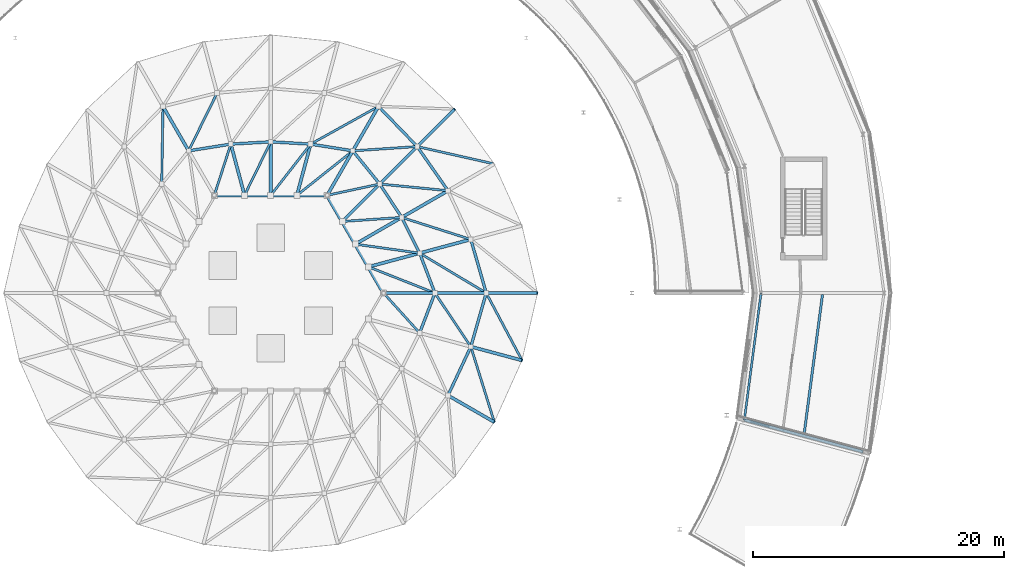
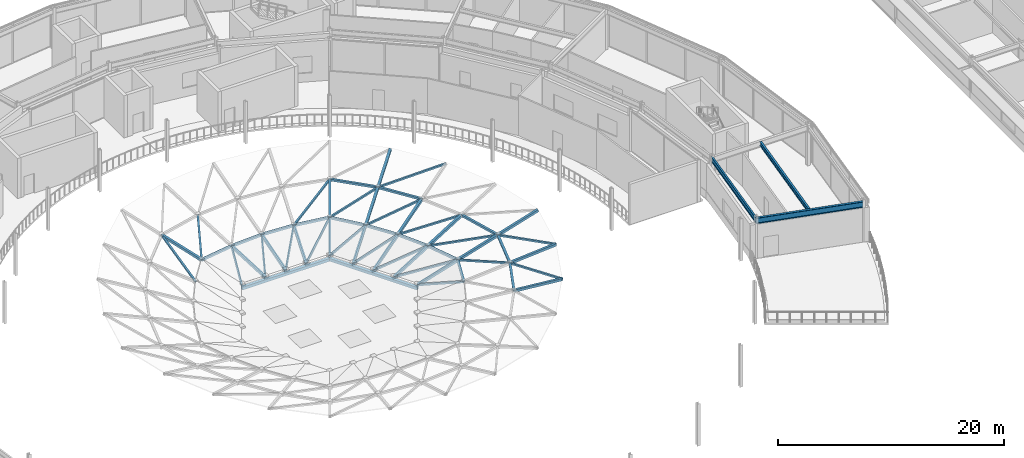
# One storey, part 24 of 116: 52 members, 5 beams.
"""IFC4 building model written with IfcOpenShell, lengths in metres."""

from ifc_helpers import new_model, si_unit, direction, frame, origin, origin_2d, place, context, subcontext, project, spatial, hollow_rectangle, i_section, extrude, material, material_profile, profile_set, type_object, element, save


model = new_model("IFC4")

# Units and contexts
model_context = context("Model", 3, precision=1e-05, world=origin(), true_north=direction((0.0, 1.0)))
body_context = subcontext(model_context, "Body", "Model", "MODEL_VIEW")
ifc_project = project(units=[si_unit("LENGTHUNIT", "METRE"), si_unit("AREAUNIT", "SQUARE_METRE"), si_unit("VOLUMEUNIT", "CUBIC_METRE"), si_unit("PLANEANGLEUNIT", "RADIAN"), si_unit("MASSUNIT", "GRAM", prefix="KILO")], contexts=[model_context])

# Site, building, storey
site_placement = place(None, origin())
site = spatial("IfcSite", under=ifc_project, at=site_placement, CompositionType="ELEMENT")
building_placement = place(site_placement, origin())
building = spatial("IfcBuilding", under=site, at=building_placement, Name="Almandine Court Research Institute", CompositionType="ELEMENT")
storey_placement = place(building_placement, frame((0.0, 0.0, 14.35009765625)))
storey = spatial("IfcBuildingStorey", under=building, at=storey_placement, Name="L03", CompositionType="ELEMENT", Elevation=14.35009765625)

# Beams
ifc_material_1 = material(Name="Steel ASTM A992 Grade 50", Category="steel")
ifc_material_profile_1 = material_profile(ifc_material_1, i_section(OverallWidth=0.18994140625, OverallDepth=0.45703125, WebThickness=0.009033203125, FlangeThickness=0.014892578125, at=origin_2d()), Name="W460x74")
ifc_profile_set_1 = profile_set([ifc_material_profile_1], Name="Steel ASTM A992 Grade 50")
beam_type_1 = type_object("IfcBeamType", Name="Beam-B-01", PredefinedType="BEAM", material=ifc_profile_set_1)
beam_1_placement = place(storey_placement, frame((129.531982421875, 44.72802734375, 4.094970703125), z_axis=(0.130512904889, 0.991446610594, 0.0), x_axis=(-0.991446610594, 0.130512904889, 0.0)))
element("IfcBeam", 1, at=beam_1_placement, inside=storey, type_object=beam_type_1, Name="L03 Drum MID Ring Beam 23", PredefinedType="BEAM", context=body_context, shape_type="SweptSolid", body=[
    extrude(i_section(OverallWidth=0.18994140625, OverallDepth=0.45703125, WebThickness=0.009033203125, FlangeThickness=0.014892578125, at=origin_2d()), origin(), (0.0, 0.0, 1.0), 11.248046875),
])
ifc_material_profile_2 = material_profile(ifc_material_1, i_section(OverallWidth=0.22998046875, OverallDepth=0.616943359375, WebThickness=0.012939453125, FlangeThickness=0.02197265625, at=origin_2d()), Name="W610x140")
ifc_profile_set_2 = profile_set([ifc_material_profile_2], Name="Steel ASTM A992 Grade 50")
beam_type_2 = type_object("IfcBeamType", Name="Beam-G-02", PredefinedType="BEAM", material=ifc_profile_set_2)
beam_2_placement = place(storey_placement, frame((124.76806640625, 45.8798828125, 4.014892578125), z_axis=(0.965937821551, -0.258774274024, 0.0), x_axis=(0.258774274024, 0.965937821551, 0.0)))
element("IfcBeam", 2, at=beam_2_placement, inside=storey, type_object=beam_type_2, Name="L03 Drum Radial Girder 23", PredefinedType="BEAM", context=body_context, shape_type="SweptSolid", body=[
    extrude(i_section(OverallWidth=0.22998046875, OverallDepth=0.616943359375, WebThickness=0.012939453125, FlangeThickness=0.02197265625, at=origin_2d()), origin(), (0.0, 0.0, 1.0), 9.799560546875),
])
ifc_material_profile_3 = material_profile(ifc_material_1, i_section(OverallWidth=0.166015625, OverallDepth=0.534912109375, WebThickness=0.010009765625, FlangeThickness=0.01708984375, at=origin_2d()), Name="W530x85")
ifc_profile_set_3 = profile_set([ifc_material_profile_3], Name="Steel ASTM A992 Grade 50")
beam_type_3 = type_object("IfcBeamType", Name="Beam-G-05-E", PredefinedType="SPANDREL", material=ifc_profile_set_3)
beam_3_placement = place(storey_placement, frame((124.76806640625, 45.8798828125, 4.055908203125), z_axis=(0.130496584681, 0.991448758831, 0.0), x_axis=(-0.991448758831, 0.130496584681, 0.0)))
element("IfcBeam", 3, at=beam_3_placement, inside=storey, type_object=beam_type_3, Name="L03 Drum IN Ring Beam 23", PredefinedType="SPANDREL", context=body_context, shape_type="SweptSolid", body=[
    extrude(i_section(OverallWidth=0.166015625, OverallDepth=0.534912109375, WebThickness=0.010009765625, FlangeThickness=0.01708984375, at=origin_2d()), origin(), (0.0, 0.0, 1.0), 10.20751953125),
])
ifc_material_2 = material(Name="Steel ASTM A500 Grade C", Category="steel")
ifc_material_profile_4 = material_profile(ifc_material_2, hollow_rectangle(XDim=0.300048828125, YDim=0.300048828125, WallThickness=0.011962890625, at=origin_2d()), Name="HSS 300x300x12")
ifc_profile_set_4 = profile_set([ifc_material_profile_4], Name="Steel ASTM A500 Grade C")
beam_type_4 = type_object("IfcBeamType", Name="Beam-RB-01-E", PredefinedType="BEAM", material=ifc_profile_set_4)
beam_4_placement = place(storey_placement, frame((96.0, 56.0, 0.64990234375), z_axis=(-0.500013631625, 0.866017533419, 0.0), x_axis=(-0.866017533419, -0.500013631625, 0.0)))
element("IfcBeam", 4, at=beam_4_placement, inside=storey, type_object=beam_type_4, Name="Gridshell Inner Oculus Ring Beam IRB-1", PredefinedType="BEAM", context=body_context, shape_type="SweptSolid", body=[
    extrude(hollow_rectangle(XDim=0.300048828125, YDim=0.300048828125, WallThickness=0.011962890625, at=origin_2d()), origin(), (0.0, 0.0, 1.0), 8.999755859375),
])
beam_5_placement = place(storey_placement, frame((91.5, 63.7939453125, 0.64990234375), z_axis=(-1.0, 0.0, 0.0), x_axis=(0.0, -1.0, 0.0)))
element("IfcBeam", 5, at=beam_5_placement, inside=storey, type_object=beam_type_4, Name="Gridshell Inner Oculus Ring Beam IRB-2", PredefinedType="BEAM", context=body_context, shape_type="SweptSolid", body=[
    extrude(hollow_rectangle(XDim=0.300048828125, YDim=0.300048828125, WallThickness=0.011962890625, at=origin_2d()), origin(), (0.0, 0.0, 1.0), 9.0),
])

# Members
ifc_material_profile_5 = material_profile(ifc_material_2, hollow_rectangle(XDim=0.25, YDim=0.25, WallThickness=0.010009765625, at=origin_2d()), Name="HSS 250x250x10")
ifc_profile_set_5 = profile_set([ifc_material_profile_5], Name="Steel ASTM A500 Grade C")
member_type_1 = type_object("IfcMemberType", Name="Mem-GS-AR1", PredefinedType="RAFTER", material=ifc_profile_set_5)
member_1_placement = place(storey_placement, frame((108.279052734375, 56.0, 4.77099609375), z_axis=(-0.955930522489, 0.0, -0.293592977053), x_axis=(0.0, -1.0, 0.0)))
element("IfcMember", 6, at=member_1_placement, inside=storey, type_object=member_type_1, Name="Atrium Conical Gridshell Radial Rib R4-S00", PredefinedType="RAFTER", context=body_context, shape_type="SweptSolid", body=[
    extrude(hollow_rectangle(XDim=0.25, YDim=0.25, WallThickness=0.010009765625, at=origin_2d()), origin(), (0.0, 0.0, 1.0), 4.28173828125),
])
member_2_placement = place(storey_placement, frame((101.669921875, 70.669921875, 4.77099609375), z_axis=(-0.677753192831, -0.677753192831, -0.285133686566), x_axis=(0.707106781187, -0.707106781187, 0.0)))
element("IfcMember", 7, at=member_2_placement, inside=storey, type_object=member_type_1, Name="Atrium Conical Gridshell Radial Rib R4-S03", PredefinedType="RAFTER", context=body_context, shape_type="SweptSolid", body=[
    extrude(hollow_rectangle(XDim=0.25, YDim=0.25, WallThickness=0.010009765625, at=origin_2d()), origin(), (0.0, 0.0, 1.0), 4.40869140625),
])
member_3_placement = place(storey_placement, frame((104.8310546875, 45.705078125, 4.77099609375), z_axis=(-0.830700468478, 0.479611347077, -0.282683015808), x_axis=(-0.500004853958, -0.866022601332, 0.0)))
element("IfcMember", 8, at=member_3_placement, inside=storey, type_object=member_type_1, Name="Atrium Conical Gridshell Radial Rib R4-S22", PredefinedType="RAFTER", context=body_context, shape_type="SweptSolid", body=[
    extrude(hollow_rectangle(XDim=0.25, YDim=0.25, WallThickness=0.010009765625, at=origin_2d()), origin(), (0.0, 0.0, 1.0), 4.447021484375),
])
member_4_placement = place(storey_placement, frame((107.0400390625, 50.6298828125, 4.77099609375), z_axis=(-0.925809514267, 0.248174536061, -0.285107248144), x_axis=(-0.25892088645, -0.965898532228, 0.0)))
element("IfcMember", 9, at=member_4_placement, inside=storey, type_object=member_type_1, Name="Atrium Conical Gridshell Radial Rib R4-S23", PredefinedType="RAFTER", context=body_context, shape_type="SweptSolid", body=[
    extrude(hollow_rectangle(XDim=0.25, YDim=0.25, WallThickness=0.010009765625, at=origin_2d()), origin(), (0.0, 0.0, 1.0), 4.4091796875),
])
member_5_placement = place(storey_placement, frame((104.18603515625, 56.0, 3.513916015625), z_axis=(-0.955930522489, 0.0, -0.293592977053), x_axis=(0.0, -1.0, 0.0)))
element("IfcMember", 10, at=member_5_placement, inside=storey, type_object=member_type_1, Name="Atrium Conical Gridshell Radial Rib R5-S00", PredefinedType="RAFTER", context=body_context, shape_type="SweptSolid", body=[
    extrude(hollow_rectangle(XDim=0.25, YDim=0.25, WallThickness=0.010009765625, at=origin_2d()), origin(), (0.0, 0.0, 1.0), 4.28173828125),
])
member_6_placement = place(storey_placement, frame((102.9580078125, 60.27587890625, 3.513916015625), z_axis=(-0.925822235368, -0.248122573964, -0.285111165665), x_axis=(0.258866989029, -0.965912978478, 0.0)))
element("IfcMember", 11, at=member_6_placement, inside=storey, type_object=member_type_1, Name="Atrium Conical Gridshell Radial Rib R5-S01", PredefinedType="RAFTER", context=body_context, shape_type="SweptSolid", body=[
    extrude(hollow_rectangle(XDim=0.25, YDim=0.25, WallThickness=0.010009765625, at=origin_2d()), origin(), (0.0, 0.0, 1.0), 4.4091796875),
])
member_7_placement = place(storey_placement, frame((101.136962890625, 64.162109375, 3.513916015625), z_axis=(-0.830680999936, -0.479593889491, -0.282769831328), x_axis=(0.499999992624, -0.866025408043, 0.0)))
element("IfcMember", 12, at=member_7_placement, inside=storey, type_object=member_type_1, Name="Atrium Conical Gridshell Radial Rib R5-S02", PredefinedType="RAFTER", context=body_context, shape_type="SweptSolid", body=[
    extrude(hollow_rectangle(XDim=0.25, YDim=0.25, WallThickness=0.010009765625, at=origin_2d()), origin(), (0.0, 0.0, 1.0), 4.445556640625),
])
member_8_placement = place(storey_placement, frame((98.681884765625, 67.681884765625, 3.513916015625), z_axis=(-0.677748690146, -0.677748690146, -0.285155091155), x_axis=(0.707106781187, -0.707106781187, 0.0)))
element("IfcMember", 13, at=member_8_placement, inside=storey, type_object=member_type_1, Name="Atrium Conical Gridshell Radial Rib R5-S03", PredefinedType="RAFTER", context=body_context, shape_type="SweptSolid", body=[
    extrude(hollow_rectangle(XDim=0.25, YDim=0.25, WallThickness=0.010009765625, at=origin_2d()), origin(), (0.0, 0.0, 1.0), 4.408447265625),
])
for number, where, z_axis, x_axis, name in (
    (14, (95.593017578125, 70.883056640625, 3.513916015625), (-0.478141034543, -0.827751372383, -0.293613379471), (0.865917322531, -0.500187155513, 0.0), "Atrium Conical Gridshell Radial Rib R5-S04"),
    (15, (78.406982421875, 70.883056640625, 3.513916015625), (0.478141034543, -0.827751372383, -0.293613379471), (0.865917322531, 0.500187155513, 0.0), "Atrium Conical Gridshell Radial Rib R5-S08"),
):
    element("IfcMember", number, at=place(storey_placement, frame(where, z_axis=z_axis, x_axis=x_axis)), inside=storey, type_object=member_type_1, Name=name, PredefinedType="RAFTER", context=body_context, shape_type="SweptSolid", body=[
        extrude(hollow_rectangle(XDim=0.25, YDim=0.25, WallThickness=0.010009765625, at=origin_2d()), origin(), (0.0, 0.0, 1.0), 4.281494140625),
    ])
member_9_placement = place(storey_placement, frame((100.093017578125, 56.0, 2.2568359375), z_axis=(-0.955946524092, 0.0, -0.293540871221), x_axis=(0.0, -1.0, 0.0)))
element("IfcMember", 16, at=member_9_placement, inside=storey, type_object=member_type_1, Name="Atrium Conical Gridshell Radial Rib R6-S00", PredefinedType="RAFTER", context=body_context, shape_type="SweptSolid", body=[
    extrude(hollow_rectangle(XDim=0.25, YDim=0.25, WallThickness=0.010009765625, at=origin_2d()), origin(), (0.0, 0.0, 1.0), 4.28173828125),
])
member_10_placement = place(storey_placement, frame((98.8759765625, 59.181884765625, 2.2568359375), z_axis=(-0.925836850451, -0.248126490842, -0.285060293428), x_axis=(0.258866989029, -0.965912978478, 0.0)))
element("IfcMember", 17, at=member_10_placement, inside=storey, type_object=member_type_1, Name="Atrium Conical Gridshell Radial Rib R6-S01", PredefinedType="RAFTER", context=body_context, shape_type="SweptSolid", body=[
    extrude(hollow_rectangle(XDim=0.25, YDim=0.25, WallThickness=0.010009765625, at=origin_2d()), origin(), (0.0, 0.0, 1.0), 4.408935546875),
])
member_11_placement = place(storey_placement, frame((97.444091796875, 62.030029296875, 2.2568359375), z_axis=(-0.830691485021, -0.479661060381, -0.282625058812), x_axis=(0.500047778078, -0.865997817341, 0.0)))
element("IfcMember", 18, at=member_11_placement, inside=storey, type_object=member_type_1, Name="Atrium Conical Gridshell Radial Rib R6-S02", PredefinedType="RAFTER", context=body_context, shape_type="SweptSolid", body=[
    extrude(hollow_rectangle(XDim=0.25, YDim=0.25, WallThickness=0.010009765625, at=origin_2d()), origin(), (0.0, 0.0, 1.0), 4.447021484375),
])
member_12_placement = place(storey_placement, frame((95.694091796875, 64.694091796875, 2.2568359375), z_axis=(-0.677763893572, -0.677763893572, -0.285082811023), x_axis=(0.707106781187, -0.707106781187, 0.0)))
element("IfcMember", 19, at=member_12_placement, inside=storey, type_object=member_type_1, Name="Atrium Conical Gridshell Radial Rib R6-S03", PredefinedType="RAFTER", context=body_context, shape_type="SweptSolid", body=[
    extrude(hollow_rectangle(XDim=0.25, YDim=0.25, WallThickness=0.010009765625, at=origin_2d()), origin(), (0.0, 0.0, 1.0), 4.40869140625),
])
member_13_placement = place(storey_placement, frame((93.5458984375, 67.339111328125, 2.2568359375), z_axis=(-0.477816251034, -0.827967754328, -0.293531988105), x_axis=(0.86612103393, -0.499834327136, 0.0)))
element("IfcMember", 20, at=member_13_placement, inside=storey, type_object=member_type_1, Name="Atrium Conical Gridshell Radial Rib R6-S04", PredefinedType="RAFTER", context=body_context, shape_type="SweptSolid", body=[
    extrude(hollow_rectangle(XDim=0.25, YDim=0.25, WallThickness=0.010009765625, at=origin_2d()), origin(), (0.0, 0.0, 1.0), 4.28173828125),
])
member_14_placement = place(storey_placement, frame((90.181884765625, 67.8759765625, 2.2568359375), z_axis=(-0.248126490842, -0.925836850451, -0.285060293428), x_axis=(0.965912978478, -0.258866989029, 0.0)))
element("IfcMember", 21, at=member_14_placement, inside=storey, type_object=member_type_1, Name="Atrium Conical Gridshell Radial Rib R6-S05", PredefinedType="RAFTER", context=body_context, shape_type="SweptSolid", body=[
    extrude(hollow_rectangle(XDim=0.25, YDim=0.25, WallThickness=0.010009765625, at=origin_2d()), origin(), (0.0, 0.0, 1.0), 4.408935546875),
])
member_15_placement = place(storey_placement, frame((87.0, 68.05908203125, 2.2568359375), z_axis=(0.0, -0.959220239089, -0.282659747615), x_axis=(1.0, 0.0, 0.0)))
element("IfcMember", 22, at=member_15_placement, inside=storey, type_object=member_type_1, Name="Atrium Conical Gridshell Radial Rib R6-S06", PredefinedType="RAFTER", context=body_context, shape_type="SweptSolid", body=[
    extrude(hollow_rectangle(XDim=0.25, YDim=0.25, WallThickness=0.010009765625, at=origin_2d()), origin(), (0.0, 0.0, 1.0), 4.446533203125),
])
member_16_placement = place(storey_placement, frame((83.818115234375, 67.8759765625, 2.2568359375), z_axis=(0.248126490842, -0.925836850451, -0.285060293428), x_axis=(0.965912978478, 0.258866989029, 0.0)))
element("IfcMember", 23, at=member_16_placement, inside=storey, type_object=member_type_1, Name="Atrium Conical Gridshell Radial Rib R6-S07", PredefinedType="RAFTER", context=body_context, shape_type="SweptSolid", body=[
    extrude(hollow_rectangle(XDim=0.25, YDim=0.25, WallThickness=0.010009765625, at=origin_2d()), origin(), (0.0, 0.0, 1.0), 4.408935546875),
])
ifc_material_profile_6 = material_profile(ifc_material_2, hollow_rectangle(XDim=0.179931640625, YDim=0.179931640625, WallThickness=0.008056640625, at=origin_2d()), Name="HSS 180x180x8")
ifc_profile_set_6 = profile_set([ifc_material_profile_6], Name="Steel ASTM A500 Grade C")
member_type_2 = type_object("IfcMemberType", Name="Mem-GS-BR1", PredefinedType="BRACE", material=ifc_profile_set_6)
member_17_placement = place(storey_placement, frame((104.8310546875, 66.294921875, 4.77099609375), z_axis=(-0.956657038881, 0.215776735534, -0.195570218494), x_axis=(-0.220025493604, -0.975494122055, 0.0)))
element("IfcMember", 24, at=member_17_placement, inside=storey, type_object=member_type_2, Name="Atrium Conical Gridshell Diagonal Brace R4-S02", PredefinedType="BRACE", context=body_context, shape_type="SweptSolid", body=[
    extrude(hollow_rectangle(XDim=0.179931640625, YDim=0.179931640625, WallThickness=0.008056640625, at=origin_2d()), origin(), (0.0, 0.0, 1.0), 6.427734375),
])
member_18_placement = place(storey_placement, frame((104.8310546875, 45.705078125, 4.77099609375), z_axis=(-0.291394922162, 0.936398645851, -0.195567316764), x_axis=(-0.954836267143, -0.297132467004, 0.0)))
element("IfcMember", 25, at=member_18_placement, inside=storey, type_object=member_type_2, Name="Atrium Conical Gridshell Diagonal Brace R4-S22", PredefinedType="BRACE", context=body_context, shape_type="SweptSolid", body=[
    extrude(hollow_rectangle(XDim=0.179931640625, YDim=0.179931640625, WallThickness=0.008056640625, at=origin_2d()), origin(), (0.0, 0.0, 1.0), 6.427978515625),
])
member_19_placement = place(storey_placement, frame((107.0400390625, 50.6298828125, 4.77099609375), z_axis=(-0.45958405155, 0.864757125568, -0.202429279849), x_axis=(-0.883038780022, -0.46930002448, 0.0)))
element("IfcMember", 26, at=member_19_placement, inside=storey, type_object=member_type_2, Name="Atrium Conical Gridshell Diagonal Brace R4-S23", PredefinedType="BRACE", context=body_context, shape_type="SweptSolid", body=[
    extrude(hollow_rectangle(XDim=0.179931640625, YDim=0.179931640625, WallThickness=0.008056640625, at=origin_2d()), origin(), (0.0, 0.0, 1.0), 6.2099609375),
])
member_20_placement = place(storey_placement, frame((104.18603515625, 56.0, 3.513916015625), z_axis=(-0.84063108695, 0.503721607182, -0.199007331803), x_axis=(-0.514002688463, -0.857788573165, 0.0)))
element("IfcMember", 27, at=member_20_placement, inside=storey, type_object=member_type_2, Name="Atrium Conical Gridshell Diagonal Brace R5-S00", PredefinedType="BRACE", context=body_context, shape_type="SweptSolid", body=[
    extrude(hollow_rectangle(XDim=0.179931640625, YDim=0.179931640625, WallThickness=0.008056640625, at=origin_2d()), origin(), (0.0, 0.0, 1.0), 6.316650390625),
])
member_21_placement = place(storey_placement, frame((102.9580078125, 60.27587890625, 3.513916015625), z_axis=(-0.931216579234, 0.296249330166, -0.212301712042), x_axis=(-0.303160117727, -0.952939632411, 0.0)))
element("IfcMember", 28, at=member_21_placement, inside=storey, type_object=member_type_2, Name="Atrium Conical Gridshell Diagonal Brace R5-S01", PredefinedType="BRACE", context=body_context, shape_type="SweptSolid", body=[
    extrude(hollow_rectangle(XDim=0.179931640625, YDim=0.179931640625, WallThickness=0.008056640625, at=origin_2d()), origin(), (0.0, 0.0, 1.0), 5.921142578125),
])
member_22_placement = place(storey_placement, frame((101.136962890625, 64.162109375, 3.513916015625), z_axis=(-0.969962203455, 0.094803428785, -0.224021502897), x_axis=(-0.097275770136, -0.99525746646, 0.0)))
element("IfcMember", 29, at=member_22_placement, inside=storey, type_object=member_type_2, Name="Atrium Conical Gridshell Diagonal Brace R5-S02", PredefinedType="BRACE", context=body_context, shape_type="SweptSolid", body=[
    extrude(hollow_rectangle(XDim=0.179931640625, YDim=0.179931640625, WallThickness=0.008056640625, at=origin_2d()), origin(), (0.0, 0.0, 1.0), 5.611328125),
])
member_23_placement = place(storey_placement, frame((98.681884765625, 67.681884765625, 3.513916015625), z_axis=(-0.969293883954, -0.064690241625, -0.237243628297), x_axis=(0.06659141422, -0.997780328305, 0.0)))
element("IfcMember", 30, at=member_23_placement, inside=storey, type_object=member_type_2, Name="Atrium Conical Gridshell Diagonal Brace R5-S03", PredefinedType="BRACE", context=body_context, shape_type="SweptSolid", body=[
    extrude(hollow_rectangle(XDim=0.179931640625, YDim=0.179931640625, WallThickness=0.008056640625, at=origin_2d()), origin(), (0.0, 0.0, 1.0), 5.298583984375),
])
member_24_placement = place(storey_placement, frame((95.593017578125, 70.883056640625, 3.513916015625), z_axis=(-0.856613001489, -0.47603782437, -0.199002903116), x_axis=(0.485753427105, -0.874095880356, 0.0)))
element("IfcMember", 31, at=member_24_placement, inside=storey, type_object=member_type_2, Name="Atrium Conical Gridshell Diagonal Brace R5-S04", PredefinedType="BRACE", context=body_context, shape_type="SweptSolid", body=[
    extrude(hollow_rectangle(XDim=0.179931640625, YDim=0.179931640625, WallThickness=0.008056640625, at=origin_2d()), origin(), (0.0, 0.0, 1.0), 6.31689453125),
])
member_25_placement = place(storey_placement, frame((82.72412109375, 71.9580078125, 3.513916015625), z_axis=(-0.428477640268, -0.871840016803, -0.237280207544), x_axis=(0.897470656495, -0.441074166927, 0.0)))
element("IfcMember", 32, at=member_25_placement, inside=storey, type_object=member_type_2, Name="Atrium Conical Gridshell Diagonal Brace R5-S07", PredefinedType="BRACE", context=body_context, shape_type="SweptSolid", body=[
    extrude(hollow_rectangle(XDim=0.179931640625, YDim=0.179931640625, WallThickness=0.008056640625, at=origin_2d()), origin(), (0.0, 0.0, 1.0), 5.2978515625),
])
member_26_placement = place(storey_placement, frame((78.406982421875, 70.883056640625, 3.513916015625), z_axis=(-0.016002504225, -0.979863483322, -0.19902631462), x_axis=(0.999866669995, -0.016329183486, 0.0)))
element("IfcMember", 33, at=member_26_placement, inside=storey, type_object=member_type_2, Name="Atrium Conical Gridshell Diagonal Brace R5-S08", PredefinedType="BRACE", context=body_context, shape_type="SweptSolid", body=[
    extrude(hollow_rectangle(XDim=0.179931640625, YDim=0.179931640625, WallThickness=0.008056640625, at=origin_2d()), origin(), (0.0, 0.0, 1.0), 6.316162109375),
])
member_27_placement = place(storey_placement, frame((102.9580078125, 51.72412109375, 3.513916015625), z_axis=(-0.54074171438, 0.807034545007, -0.237262811022), x_axis=(-0.830756378427, -0.556636182531, 0.0)))
element("IfcMember", 34, at=member_27_placement, inside=storey, type_object=member_type_2, Name="Atrium Conical Gridshell Diagonal Brace R5-S23", PredefinedType="BRACE", context=body_context, shape_type="SweptSolid", body=[
    extrude(hollow_rectangle(XDim=0.179931640625, YDim=0.179931640625, WallThickness=0.008056640625, at=origin_2d()), origin(), (0.0, 0.0, 1.0), 5.29833984375),
])
member_28_placement = place(storey_placement, frame((100.093017578125, 56.0, 2.2568359375), z_axis=(-0.908528366425, 0.357969803716, -0.215485096999), x_axis=(-0.366581864165, -0.930385800013, 0.0)))
element("IfcMember", 35, at=member_28_placement, inside=storey, type_object=member_type_2, Name="Atrium Conical Gridshell Diagonal Brace R6-S00", PredefinedType="BRACE", context=body_context, shape_type="SweptSolid", body=[
    extrude(hollow_rectangle(XDim=0.179931640625, YDim=0.179931640625, WallThickness=0.008056640625, at=origin_2d()), origin(), (0.0, 0.0, 1.0), 5.83251953125),
])
member_29_placement = place(storey_placement, frame((98.8759765625, 59.181884765625, 2.2568359375), z_axis=(-0.962438079531, 0.134262770763, -0.235979769167), x_axis=(-0.138164826194, -0.990409249151, 0.0)))
element("IfcMember", 36, at=member_29_placement, inside=storey, type_object=member_type_2, Name="Atrium Conical Gridshell Diagonal Brace R6-S01", PredefinedType="BRACE", context=body_context, shape_type="SweptSolid", body=[
    extrude(hollow_rectangle(XDim=0.179931640625, YDim=0.179931640625, WallThickness=0.008056640625, at=origin_2d()), origin(), (0.0, 0.0, 1.0), 5.325927734375),
])
member_30_placement = place(storey_placement, frame((97.444091796875, 62.030029296875, 2.2568359375), z_axis=(-0.964467231594, -0.065947751653, -0.255839506789), x_axis=(0.068218099822, -0.997670431985, 0.0)))
element("IfcMember", 37, at=member_30_placement, inside=storey, type_object=member_type_2, Name="Atrium Conical Gridshell Diagonal Brace R6-S02", PredefinedType="BRACE", context=body_context, shape_type="SweptSolid", body=[
    extrude(hollow_rectangle(XDim=0.179931640625, YDim=0.179931640625, WallThickness=0.008056640625, at=origin_2d()), origin(), (0.0, 0.0, 1.0), 4.91259765625),
])
member_31_placement = place(storey_placement, frame((95.694091796875, 64.694091796875, 2.2568359375), z_axis=(-0.938289510506, -0.201378044428, -0.281175528266), x_axis=(0.209843912452, -0.977734898838, 0.0)))
element("IfcMember", 38, at=member_31_placement, inside=storey, type_object=member_type_2, Name="Atrium Conical Gridshell Diagonal Brace R6-S03", PredefinedType="BRACE", context=body_context, shape_type="SweptSolid", body=[
    extrude(hollow_rectangle(XDim=0.179931640625, YDim=0.179931640625, WallThickness=0.008056640625, at=origin_2d()), origin(), (0.0, 0.0, 1.0), 4.469970703125),
])
member_32_placement = place(storey_placement, frame((93.5458984375, 67.339111328125, 2.2568359375), z_axis=(-0.764298481314, -0.60779727531, -0.215476921238), x_axis=(0.622418551138, -0.78268457708, 0.0)))
element("IfcMember", 39, at=member_32_placement, inside=storey, type_object=member_type_2, Name="Atrium Conical Gridshell Diagonal Brace R6-S04", PredefinedType="BRACE", context=body_context, shape_type="SweptSolid", body=[
    extrude(hollow_rectangle(XDim=0.179931640625, YDim=0.179931640625, WallThickness=0.008056640625, at=origin_2d()), origin(), (0.0, 0.0, 1.0), 5.832763671875),
])
member_33_placement = place(storey_placement, frame((90.181884765625, 67.8759765625, 2.2568359375), z_axis=(-0.597417161769, -0.766424840388, -0.235978174541), x_axis=(0.788698997225, -0.614779547299, 0.0)))
element("IfcMember", 40, at=member_33_placement, inside=storey, type_object=member_type_2, Name="Atrium Conical Gridshell Diagonal Brace R6-S05", PredefinedType="BRACE", context=body_context, shape_type="SweptSolid", body=[
    extrude(hollow_rectangle(XDim=0.179931640625, YDim=0.179931640625, WallThickness=0.008056640625, at=origin_2d()), origin(), (0.0, 0.0, 1.0), 5.326171875),
])
member_34_placement = place(storey_placement, frame((87.0, 68.05908203125, 2.2568359375), z_axis=(-0.42503652087, -0.868263332508, -0.255856876689), x_axis=(0.89815884347, -0.439671117879, 0.0)))
element("IfcMember", 41, at=member_34_placement, inside=storey, type_object=member_type_2, Name="Atrium Conical Gridshell Diagonal Brace R6-S06", PredefinedType="BRACE", context=body_context, shape_type="SweptSolid", body=[
    extrude(hollow_rectangle(XDim=0.179931640625, YDim=0.179931640625, WallThickness=0.008056640625, at=origin_2d()), origin(), (0.0, 0.0, 1.0), 4.912353515625),
])
member_35_placement = place(storey_placement, frame((83.818115234375, 67.8759765625, 2.2568359375), z_axis=(-0.294886686212, -0.91322567021, -0.281177377407), x_axis=(0.951617920036, -0.307283800854, 0.0)))
element("IfcMember", 42, at=member_35_placement, inside=storey, type_object=member_type_2, Name="Atrium Conical Gridshell Diagonal Brace R6-S07", PredefinedType="BRACE", context=body_context, shape_type="SweptSolid", body=[
    extrude(hollow_rectangle(XDim=0.179931640625, YDim=0.179931640625, WallThickness=0.008056640625, at=origin_2d()), origin(), (0.0, 0.0, 1.0), 4.469970703125),
])
member_36_placement = place(storey_placement, frame((98.8759765625, 52.818115234375, 2.2568359375), z_axis=(-0.643485893131, 0.711931379047, -0.281210982839), x_axis=(-0.741868775657, -0.670545091478, 0.0)))
element("IfcMember", 43, at=member_36_placement, inside=storey, type_object=member_type_2, Name="Atrium Conical Gridshell Diagonal Brace R6-S23", PredefinedType="BRACE", context=body_context, shape_type="SweptSolid", body=[
    extrude(hollow_rectangle(XDim=0.179931640625, YDim=0.179931640625, WallThickness=0.008056640625, at=origin_2d()), origin(), (0.0, 0.0, 1.0), 4.469482421875),
])
ifc_material_profile_7 = material_profile(ifc_material_2, hollow_rectangle(XDim=0.219970703125, YDim=0.219970703125, WallThickness=0.010009765625, at=origin_2d()), Name="HSS 220x220x10")
ifc_profile_set_7 = profile_set([ifc_material_profile_7], Name="Steel ASTM A500 Grade C")
member_type_3 = type_object("IfcMemberType", Name="Mem-GS-ST1", PredefinedType="COLLAR", material=ifc_profile_set_7)
member_37_placement = place(storey_placement, frame((104.18603515625, 56.0, 3.513916015625), z_axis=(-0.276040029853, 0.96114613973, 0.0), x_axis=(-0.96114613973, -0.276040029853, 0.0)))
element("IfcMember", 44, at=member_37_placement, inside=storey, type_object=member_type_3, Name="Atrium Conical Gridshell Hoop Ring R5-S00", PredefinedType="COLLAR", context=body_context, shape_type="SweptSolid", body=[
    extrude(hollow_rectangle(XDim=0.219970703125, YDim=0.219970703125, WallThickness=0.010009765625, at=origin_2d()), origin(), (0.0, 0.0, 1.0), 4.44873046875),
])
member_38_placement = place(storey_placement, frame((101.136962890625, 64.162109375, 3.513916015625), z_axis=(-0.572090824344, 0.820190275912, 0.0), x_axis=(-0.820190275912, -0.572090824344, 0.0)))
element("IfcMember", 45, at=member_38_placement, inside=storey, type_object=member_type_3, Name="Atrium Conical Gridshell Hoop Ring R5-S02", PredefinedType="COLLAR", context=body_context, shape_type="SweptSolid", body=[
    extrude(hollow_rectangle(XDim=0.219970703125, YDim=0.219970703125, WallThickness=0.010009765625, at=origin_2d()), origin(), (0.0, 0.0, 1.0), 4.29150390625),
])
member_39_placement = place(storey_placement, frame((98.681884765625, 67.681884765625, 3.513916015625), z_axis=(-0.694371168279, 0.719617037502, 0.0), x_axis=(-0.719617037502, -0.694371168279, 0.0)))
element("IfcMember", 46, at=member_39_placement, inside=storey, type_object=member_type_3, Name="Atrium Conical Gridshell Hoop Ring R5-S03", PredefinedType="COLLAR", context=body_context, shape_type="SweptSolid", body=[
    extrude(hollow_rectangle(XDim=0.219970703125, YDim=0.219970703125, WallThickness=0.010009765625, at=origin_2d()), origin(), (0.0, 0.0, 1.0), 4.448486328125),
])
member_40_placement = place(storey_placement, frame((101.136962890625, 47.837890625, 3.513916015625), z_axis=(0.424314361359, 0.905514948935, 0.0), x_axis=(-0.905514948935, 0.424314361359, 0.0)))
element("IfcMember", 47, at=member_40_placement, inside=storey, type_object=member_type_3, Name="Atrium Conical Gridshell Hoop Ring R5-S22", PredefinedType="COLLAR", context=body_context, shape_type="SweptSolid", body=[
    extrude(hollow_rectangle(XDim=0.219970703125, YDim=0.219970703125, WallThickness=0.010009765625, at=origin_2d()), origin(), (0.0, 0.0, 1.0), 4.291748046875),
])
member_41_placement = place(storey_placement, frame((102.9580078125, 51.72412109375, 3.513916015625), z_axis=(0.276040029853, 0.96114613973, 0.0), x_axis=(-0.96114613973, 0.276040029853, 0.0)))
element("IfcMember", 48, at=member_41_placement, inside=storey, type_object=member_type_3, Name="Atrium Conical Gridshell Hoop Ring R5-S23", PredefinedType="COLLAR", context=body_context, shape_type="SweptSolid", body=[
    extrude(hollow_rectangle(XDim=0.219970703125, YDim=0.219970703125, WallThickness=0.010009765625, at=origin_2d()), origin(), (0.0, 0.0, 1.0), 4.44873046875),
])
member_42_placement = place(storey_placement, frame((100.093017578125, 56.0, 2.2568359375), z_axis=(-0.357249639578, 0.934008937335, 0.0), x_axis=(-0.934008937335, -0.357249639578, 0.0)))
element("IfcMember", 49, at=member_42_placement, inside=storey, type_object=member_type_3, Name="Atrium Conical Gridshell Hoop Ring R6-S00", PredefinedType="COLLAR", context=body_context, shape_type="SweptSolid", body=[
    extrude(hollow_rectangle(XDim=0.219970703125, YDim=0.219970703125, WallThickness=0.010009765625, at=origin_2d()), origin(), (0.0, 0.0, 1.0), 3.40673828125),
])
member_43_placement = place(storey_placement, frame((98.8759765625, 59.181884765625, 2.2568359375), z_axis=(-0.449173106182, 0.893444749653, 0.0), x_axis=(-0.893444749653, -0.449173106182, 0.0)))
element("IfcMember", 50, at=member_43_placement, inside=storey, type_object=member_type_3, Name="Atrium Conical Gridshell Hoop Ring R6-S01", PredefinedType="COLLAR", context=body_context, shape_type="SweptSolid", body=[
    extrude(hollow_rectangle(XDim=0.219970703125, YDim=0.219970703125, WallThickness=0.010009765625, at=origin_2d()), origin(), (0.0, 0.0, 1.0), 3.187744140625),
])
member_44_placement = place(storey_placement, frame((97.444091796875, 62.030029296875, 2.2568359375), z_axis=(-0.549031151656, 0.835801887119, 0.0), x_axis=(-0.835801887119, -0.549031151656, 0.0)))
element("IfcMember", 51, at=member_44_placement, inside=storey, type_object=member_type_3, Name="Atrium Conical Gridshell Hoop Ring R6-S02", PredefinedType="COLLAR", context=body_context, shape_type="SweptSolid", body=[
    extrude(hollow_rectangle(XDim=0.219970703125, YDim=0.219970703125, WallThickness=0.010009765625, at=origin_2d()), origin(), (0.0, 0.0, 1.0), 3.1875),
])
member_45_placement = place(storey_placement, frame((95.694091796875, 64.694091796875, 2.2568359375), z_axis=(-0.630436165424, 0.776241097421, 0.0), x_axis=(-0.776241097421, -0.630436165424, 0.0)))
element("IfcMember", 52, at=member_45_placement, inside=storey, type_object=member_type_3, Name="Atrium Conical Gridshell Hoop Ring R6-S03", PredefinedType="COLLAR", context=body_context, shape_type="SweptSolid", body=[
    extrude(hollow_rectangle(XDim=0.219970703125, YDim=0.219970703125, WallThickness=0.010009765625, at=origin_2d()), origin(), (0.0, 0.0, 1.0), 3.407470703125),
])
member_46_placement = place(storey_placement, frame((93.5458984375, 67.339111328125, 2.2568359375), z_axis=(-0.987503611538, 0.157596374321, 0.0), x_axis=(-0.157596374321, -0.987503611538, 0.0)))
element("IfcMember", 53, at=member_46_placement, inside=storey, type_object=member_type_3, Name="Atrium Conical Gridshell Hoop Ring R6-S04", PredefinedType="COLLAR", context=body_context, shape_type="SweptSolid", body=[
    extrude(hollow_rectangle(XDim=0.219970703125, YDim=0.219970703125, WallThickness=0.010009765625, at=origin_2d()), origin(), (0.0, 0.0, 1.0), 3.406494140625),
])
for number, where, z_axis, x_axis, name in (
    (54, (90.181884765625, 67.8759765625, 2.2568359375), (-0.998348316891, 0.05745118067, 0.0), (-0.05745118067, -0.998348316891, 0.0), "Atrium Conical Gridshell Hoop Ring R6-S05"),
    (55, (87.0, 68.05908203125, 2.2568359375), (-0.998348316891, -0.05745118067, 0.0), (0.05745118067, -0.998348316891, 0.0), "Atrium Conical Gridshell Hoop Ring R6-S06"),
):
    element("IfcMember", number, at=place(storey_placement, frame(where, z_axis=z_axis, x_axis=x_axis)), inside=storey, type_object=member_type_3, Name=name, PredefinedType="COLLAR", context=body_context, shape_type="SweptSolid", body=[
        extrude(hollow_rectangle(XDim=0.219970703125, YDim=0.219970703125, WallThickness=0.010009765625, at=origin_2d()), origin(), (0.0, 0.0, 1.0), 3.187255859375),
    ])
member_47_placement = place(storey_placement, frame((83.818115234375, 67.8759765625, 2.2568359375), z_axis=(-0.987503611538, -0.157596374321, 0.0), x_axis=(0.157596374321, -0.987503611538, 0.0)))
element("IfcMember", 56, at=member_47_placement, inside=storey, type_object=member_type_3, Name="Atrium Conical Gridshell Hoop Ring R6-S07", PredefinedType="COLLAR", context=body_context, shape_type="SweptSolid", body=[
    extrude(hollow_rectangle(XDim=0.219970703125, YDim=0.219970703125, WallThickness=0.010009765625, at=origin_2d()), origin(), (0.0, 0.0, 1.0), 3.406494140625),
])
member_48_placement = place(storey_placement, frame((98.8759765625, 52.818115234375, 2.2568359375), z_axis=(0.357249639578, 0.934008937335, 0.0), x_axis=(-0.934008937335, 0.357249639578, 0.0)))
element("IfcMember", 57, at=member_48_placement, inside=storey, type_object=member_type_3, Name="Atrium Conical Gridshell Hoop Ring R6-S23", PredefinedType="COLLAR", context=body_context, shape_type="SweptSolid", body=[
    extrude(hollow_rectangle(XDim=0.219970703125, YDim=0.219970703125, WallThickness=0.010009765625, at=origin_2d()), origin(), (0.0, 0.0, 1.0), 3.40673828125),
])

save(model, "model.ifc")
